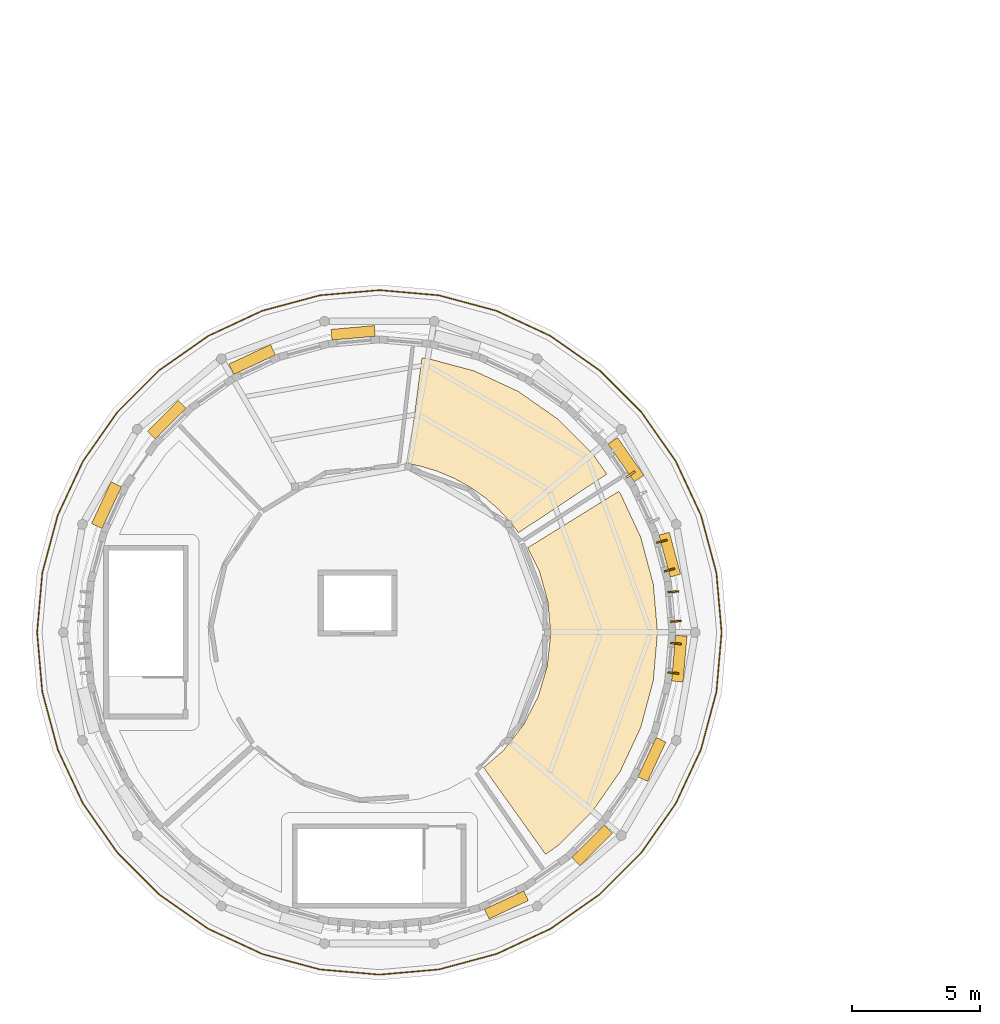
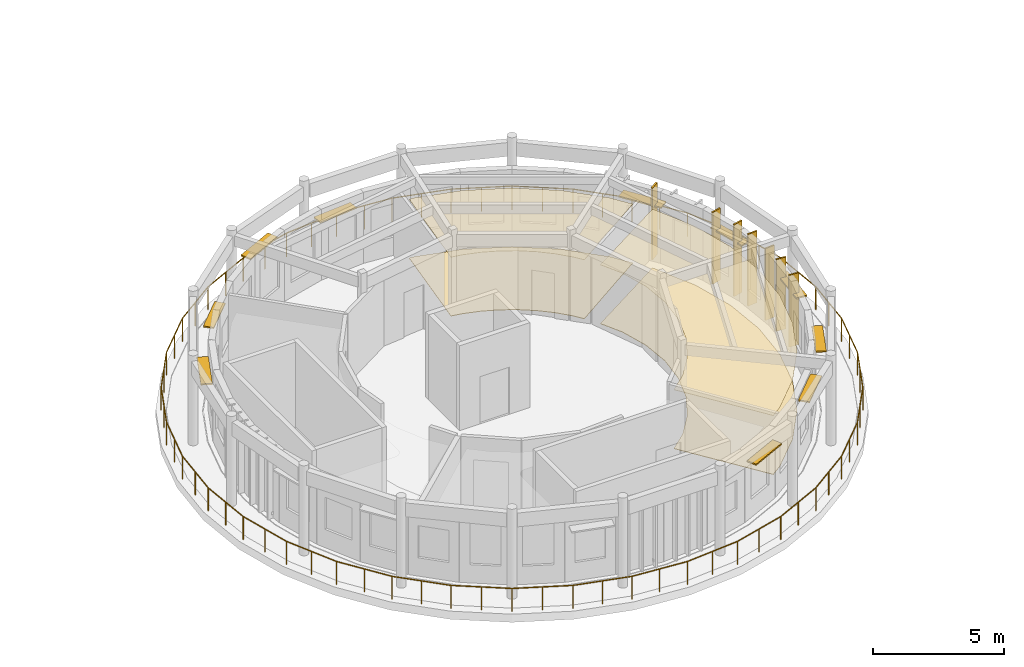
# One storey, part 26 of 30: 17 shading devices, 4 coverings, 1 railing.
"""IFC4 building model written with IfcOpenShell, lengths in metres."""

from ifc_helpers import new_model, si_unit, direction, frame, origin, origin_2d, place, context, subcontext, project, spatial, polyline, rectangle, circle, outline, extrude, material, layer, layer_set, type_object, element, save


model = new_model("IFC4")

# Units and contexts
model_context = context("Model", 3, precision=1e-05, world=origin(), true_north=direction((0.0, 1.0)))
body_context = subcontext(model_context, "Body", "Model", "MODEL_VIEW")
ifc_project = project(units=[si_unit("LENGTHUNIT", "METRE"), si_unit("AREAUNIT", "SQUARE_METRE"), si_unit("VOLUMEUNIT", "CUBIC_METRE"), si_unit("PLANEANGLEUNIT", "RADIAN"), si_unit("MASSUNIT", "GRAM", prefix="KILO")], contexts=[model_context])

# Site, building, storey
site_placement = place(None, origin())
site = spatial("IfcSite", under=ifc_project, at=site_placement, CompositionType="ELEMENT")
building_placement = place(site_placement, origin())
building = spatial("IfcBuilding", under=site, at=building_placement, Name="Aldenvaro Health Centre", CompositionType="ELEMENT")
storey_placement = place(building_placement, frame((0.0, 0.0, 17.14990234375)))
storey = spatial("IfcBuildingStorey", under=building, at=storey_placement, Name="L04", CompositionType="ELEMENT", Elevation=17.14990234375)

# Coverings
ifc_material_1 = material(Name="Antimicrobial Mineral Fibre Ceiling")
ifc_layer_1 = layer(ifc_material_1, 0.01806640625, Name="Antimicrobial Mineral Fibre Ceiling")
ifc_layer_set_1 = layer_set([ifc_layer_1], Name="Antimicrobial Mineral Fibre Ceiling")
covering_type_1 = type_object("IfcCoveringType", Name="COV-CLG-ACT18", PredefinedType="CEILING", material=ifc_layer_set_1)
covering_1_placement = place(storey_placement, frame((0.0, 0.0, 2.75)))
element("IfcCovering", 1, at=covering_1_placement, inside=storey, type_object=covering_type_1, Name="D5-L04-R03 Suspended Ceiling", PredefinedType="CEILING", context=body_context, shape_type="SweptSolid", body=[
    extrude(outline(polyline([(23.337890625, 13.85205078125), (23.35400390625, 13.867919921875), (23.368896484375, 13.885009765625), (24.1220703125, 14.839111328125), (24.135009765625, 14.85693359375), (24.14599609375, 14.8759765625), (24.70703125, 15.9541015625), (24.717041015625, 15.97509765625), (24.72412109375, 15.99609375), (25.073974609375, 17.158935546875), (25.0791015625, 17.180908203125), (25.0830078125, 17.2041015625), (25.2080078125, 18.412109375), (25.2099609375, 18.43505859375), (25.208984375, 18.45703125), (25.10693359375, 19.66796875), (25.10400390625, 19.68994140625), (25.09912109375, 19.7119140625), (24.77197265625, 20.882080078125), (24.764892578125, 20.904052734375), (24.756103515625, 20.924072265625), (24.31298828125, 21.81689453125), (27.884033203125, 24.028076171875), (27.93896484375, 23.948974609375), (28.740966796875, 22.22705078125), (29.23388671875, 20.39208984375), (29.39892578125, 18.5), (29.23388671875, 16.60791015625), (28.740966796875, 14.77294921875), (27.93896484375, 13.051025390625), (26.84912109375, 11.493896484375), (25.506103515625, 10.15087890625), (25.011962890625, 9.804931640625), (22.5859375, 13.198974609375), (23.337890625, 13.85205078125)])), origin(), (0.0, 0.0, 1.0), 0.01806640625),
])
covering_2_placement = place(storey_placement, frame((0.0, 0.0, 2.75)))
element("IfcCovering", 2, at=covering_2_placement, inside=storey, type_object=covering_type_1, Name="D5-L04-R04 Suspended Ceiling", PredefinedType="CEILING", context=body_context, shape_type="SweptSolid", body=[
    extrude(outline(polyline([(23.672119140625, 22.77392578125), (23.656005859375, 22.7939453125), (23.18798828125, 23.300048828125), (23.169921875, 23.318115234375), (22.65087890625, 23.77197265625), (22.631103515625, 23.787109375), (22.06591796875, 24.18310546875), (22.044921875, 24.197021484375), (21.44091796875, 24.531005859375), (21.41796875, 24.5419921875), (20.782958984375, 24.80908203125), (20.759033203125, 24.818115234375), (20.09912109375, 25.01611328125), (20.073974609375, 25.02197265625), (19.6201171875, 25.10791015625), (20.169921875, 29.2529296875), (20.39208984375, 29.23388671875), (22.22705078125, 28.740966796875), (23.948974609375, 27.93896484375), (25.506103515625, 26.84912109375), (26.84912109375, 25.506103515625), (27.412109375, 24.701904296875), (23.947998046875, 22.403076171875), (23.672119140625, 22.77392578125)])), origin(), (0.0, 0.0, 1.0), 0.01806640625),
])
ifc_material_2 = material(Name="Polished Epoxy Terrazzo Flooring")
ifc_layer_2 = layer(ifc_material_2, 0.02197265625, Name="Polished Epoxy Terrazzo Flooring")
ifc_layer_set_2 = layer_set([ifc_layer_2], Name="Polished Epoxy Terrazzo Flooring")
covering_type_2 = type_object("IfcCoveringType", Name="COV-FLR-TER22", PredefinedType="FLOORING", material=ifc_layer_set_2)
covering_3_placement = place(storey_placement, origin())
element("IfcCovering", 3, at=covering_3_placement, inside=storey, type_object=covering_type_2, Name="D5-L04-R03 Flooring", PredefinedType="FLOORING", context=body_context, shape_type="SweptSolid", body=[
    extrude(outline(polyline([(23.337890625, 13.85205078125), (23.35400390625, 13.867919921875), (23.368896484375, 13.885009765625), (24.1220703125, 14.839111328125), (24.135009765625, 14.85693359375), (24.14599609375, 14.8759765625), (24.70703125, 15.9541015625), (24.717041015625, 15.97509765625), (24.72412109375, 15.99609375), (25.073974609375, 17.158935546875), (25.0791015625, 17.180908203125), (25.0830078125, 17.2041015625), (25.2080078125, 18.412109375), (25.2099609375, 18.43505859375), (25.208984375, 18.45703125), (25.10693359375, 19.66796875), (25.10400390625, 19.68994140625), (25.09912109375, 19.7119140625), (24.77197265625, 20.882080078125), (24.764892578125, 20.904052734375), (24.756103515625, 20.924072265625), (24.31298828125, 21.81689453125), (27.884033203125, 24.028076171875), (27.93896484375, 23.948974609375), (28.740966796875, 22.22705078125), (29.23388671875, 20.39208984375), (29.39892578125, 18.5), (29.23388671875, 16.60791015625), (28.740966796875, 14.77294921875), (27.93896484375, 13.051025390625), (26.84912109375, 11.493896484375), (25.506103515625, 10.15087890625), (25.011962890625, 9.804931640625), (22.5859375, 13.198974609375), (23.337890625, 13.85205078125)])), origin(), (0.0, 0.0, 1.0), 0.022216796875),
])
covering_4_placement = place(storey_placement, origin())
element("IfcCovering", 4, at=covering_4_placement, inside=storey, type_object=covering_type_2, Name="D5-L04-R04 Flooring", PredefinedType="FLOORING", context=body_context, shape_type="SweptSolid", body=[
    extrude(outline(polyline([(23.672119140625, 22.77392578125), (23.656005859375, 22.7939453125), (23.18798828125, 23.300048828125), (23.169921875, 23.318115234375), (22.65087890625, 23.77197265625), (22.631103515625, 23.787109375), (22.06591796875, 24.18310546875), (22.044921875, 24.197021484375), (21.44091796875, 24.531005859375), (21.41796875, 24.5419921875), (20.782958984375, 24.80908203125), (20.759033203125, 24.818115234375), (20.09912109375, 25.01611328125), (20.073974609375, 25.02197265625), (19.6201171875, 25.10791015625), (20.169921875, 29.2529296875), (20.39208984375, 29.23388671875), (22.22705078125, 28.740966796875), (23.948974609375, 27.93896484375), (25.506103515625, 26.84912109375), (26.84912109375, 25.506103515625), (27.412109375, 24.701904296875), (23.947998046875, 22.403076171875), (23.672119140625, 22.77392578125)])), origin(), (0.0, 0.0, 1.0), 0.022216796875),
])

# Railing
ifc_material_3 = material(Name="Painted Architectural Steel", Category="steel")
railing_type = type_object("IfcRailingType", Name="RL-BAL-110", PredefinedType="GUARDRAIL", material=ifc_material_3)
railing_placement = place(storey_placement, frame((31.70703125, 16.172119140625, 0.0)))
element("IfcRailing", 5, at=railing_placement, inside=storey, type_object=railing_type, Name="D5 L04 recovery terrace guardrail 1", PredefinedType="GUARDRAIL", context=body_context, shape_type="SweptSolid", body=[
    extrude(circle(Radius=0.02392578125, at=origin_2d()), frame((0.0, 0.0, 1.09619140625), z_axis=(-0.259078691273, -0.965856216902, 0.0), x_axis=(0.965856216902, -0.259078691273, 0.0)), (0.0, 0.0, 1.0), 2.3388671875),
    extrude(circle(Radius=0.02392578125, at=origin_2d()), frame((-0.60595703125, -2.259033203125, 1.09619140625), z_axis=(-0.422387816223, -0.906415209882, 0.0), x_axis=(0.906415209882, -0.422387816223, 0.0)), (0.0, 0.0, 1.0), 2.3369140625),
    extrude(circle(Radius=0.02392578125, at=origin_2d()), frame((-1.593017578125, -4.377197265625, 1.09619140625), z_axis=(-0.573616521457, -0.819123974934, 0.0), x_axis=(0.819123974934, -0.573616521457, 0.0)), (0.0, 0.0, 1.0), 2.337890625),
    extrude(circle(Radius=0.02392578125, at=origin_2d()), frame((-2.93408203125, -6.292236328125, 1.09619140625), z_axis=(-0.707106781187, -0.707106781187, 0.0), x_axis=(0.707106781187, -0.707106781187, 0.0)), (0.0, 0.0, 1.0), 2.33740234375),
    extrude(circle(Radius=0.02392578125, at=origin_2d()), frame((-4.5869140625, -7.945068359375, 1.09619140625), z_axis=(-0.819123974934, -0.573616521457, 0.0), x_axis=(0.573616521457, -0.819123974934, 0.0)), (0.0, 0.0, 1.0), 2.337890625),
    extrude(circle(Radius=0.02392578125, at=origin_2d()), frame((-6.501953125, -9.2861328125, 1.09619140625), z_axis=(-0.906415209882, -0.422387816223, 0.0), x_axis=(0.422387816223, -0.906415209882, 0.0)), (0.0, 0.0, 1.0), 2.3369140625),
    extrude(circle(Radius=0.02392578125, at=origin_2d()), frame((-8.6201171875, -10.273193359375, 1.09619140625), z_axis=(-0.965856216902, -0.259078691273, 0.0), x_axis=(0.259078691273, -0.965856216902, 0.0)), (0.0, 0.0, 1.0), 2.3388671875),
    extrude(circle(Radius=0.02392578125, at=origin_2d()), frame((-10.879150390625, -10.879150390625, 1.09619140625), z_axis=(-0.996223711279, -0.086823482336, 0.0), x_axis=(0.086823482336, -0.996223711279, 0.0)), (0.0, 0.0, 1.0), 2.336669921875),
    extrude(circle(Radius=0.02392578125, at=origin_2d()), frame((-13.20703125, -11.08203125, 1.09619140625), z_axis=(-0.996223711279, 0.086823482336, 0.0), x_axis=(-0.086823482336, -0.996223711279, 0.0)), (0.0, 0.0, 1.0), 2.336669921875),
    extrude(circle(Radius=0.02392578125, at=origin_2d()), frame((-15.534912109375, -10.879150390625, 1.09619140625), z_axis=(-0.965856216902, 0.259078691273, 0.0), x_axis=(-0.259078691273, -0.965856216902, 0.0)), (0.0, 0.0, 1.0), 2.3388671875),
    extrude(circle(Radius=0.02392578125, at=origin_2d()), frame((-17.7939453125, -10.273193359375, 1.09619140625), z_axis=(-0.906415209882, 0.422387816223, 0.0), x_axis=(-0.422387816223, -0.906415209882, 0.0)), (0.0, 0.0, 1.0), 2.3369140625),
    extrude(circle(Radius=0.02392578125, at=origin_2d()), frame((-19.912109375, -9.2861328125, 1.09619140625), z_axis=(-0.819123974934, 0.573616521457, 0.0), x_axis=(-0.573616521457, -0.819123974934, 0.0)), (0.0, 0.0, 1.0), 2.337890625),
    extrude(circle(Radius=0.02392578125, at=origin_2d()), frame((-21.8271484375, -7.945068359375, 1.09619140625), z_axis=(-0.707106781187, 0.707106781187, 0.0), x_axis=(-0.707106781187, -0.707106781187, 0.0)), (0.0, 0.0, 1.0), 2.33740234375),
    extrude(circle(Radius=0.02392578125, at=origin_2d()), frame((-23.47998046875, -6.292236328125, 1.09619140625), z_axis=(-0.573616521457, 0.819123974934, 0.0), x_axis=(-0.819123974934, -0.573616521457, 0.0)), (0.0, 0.0, 1.0), 2.337890625),
    extrude(circle(Radius=0.02392578125, at=origin_2d()), frame((-24.821044921875, -4.377197265625, 1.09619140625), z_axis=(-0.422387816223, 0.906415209882, 0.0), x_axis=(-0.906415209882, -0.422387816223, 0.0)), (0.0, 0.0, 1.0), 2.3369140625),
    extrude(circle(Radius=0.02392578125, at=origin_2d()), frame((-25.80810546875, -2.259033203125, 1.09619140625), z_axis=(-0.259078691273, 0.965856216902, 0.0), x_axis=(-0.965856216902, -0.259078691273, 0.0)), (0.0, 0.0, 1.0), 2.3388671875),
    extrude(circle(Radius=0.02392578125, at=origin_2d()), frame((-26.4140625, 0.0, 1.09619140625), z_axis=(-0.086823482336, 0.996223711279, 0.0), x_axis=(-0.996223711279, -0.086823482336, 0.0)), (0.0, 0.0, 1.0), 2.336669921875),
    extrude(circle(Radius=0.02392578125, at=origin_2d()), frame((-26.616943359375, 2.327880859375, 1.09619140625), z_axis=(0.086823482336, 0.996223711279, 0.0), x_axis=(-0.996223711279, 0.086823482336, 0.0)), (0.0, 0.0, 1.0), 2.336669921875),
    extrude(circle(Radius=0.02392578125, at=origin_2d()), frame((-26.4140625, 4.65576171875, 1.09619140625), z_axis=(0.259078691273, 0.965856216902, 0.0), x_axis=(-0.965856216902, 0.259078691273, 0.0)), (0.0, 0.0, 1.0), 2.3388671875),
    extrude(circle(Radius=0.02392578125, at=origin_2d()), frame((-25.80810546875, 6.914794921875, 1.09619140625), z_axis=(0.422387816223, 0.906415209882, 0.0), x_axis=(-0.906415209882, 0.422387816223, 0.0)), (0.0, 0.0, 1.0), 2.3369140625),
    extrude(circle(Radius=0.02392578125, at=origin_2d()), frame((-24.821044921875, 9.032958984375, 1.09619140625), z_axis=(0.573616521457, 0.819123974934, 0.0), x_axis=(-0.819123974934, 0.573616521457, 0.0)), (0.0, 0.0, 1.0), 2.337890625),
    extrude(circle(Radius=0.02392578125, at=origin_2d()), frame((-23.47998046875, 10.947998046875, 1.09619140625), z_axis=(0.707106781187, 0.707106781187, 0.0), x_axis=(-0.707106781187, 0.707106781187, 0.0)), (0.0, 0.0, 1.0), 2.33740234375),
    extrude(circle(Radius=0.02392578125, at=origin_2d()), frame((-21.8271484375, 12.600830078125, 1.09619140625), z_axis=(0.819123974934, 0.573616521457, 0.0), x_axis=(-0.573616521457, 0.819123974934, 0.0)), (0.0, 0.0, 1.0), 2.337890625),
    extrude(circle(Radius=0.02392578125, at=origin_2d()), frame((-19.912109375, 13.94189453125, 1.09619140625), z_axis=(0.906415209882, 0.422387816223, 0.0), x_axis=(-0.422387816223, 0.906415209882, 0.0)), (0.0, 0.0, 1.0), 2.3369140625),
    extrude(circle(Radius=0.02392578125, at=origin_2d()), frame((-17.7939453125, 14.928955078125, 1.09619140625), z_axis=(0.965856216902, 0.259078691273, 0.0), x_axis=(-0.259078691273, 0.965856216902, 0.0)), (0.0, 0.0, 1.0), 2.3388671875),
    extrude(circle(Radius=0.02392578125, at=origin_2d()), frame((-15.534912109375, 15.534912109375, 1.09619140625), z_axis=(0.996223711279, 0.086823482336, 0.0), x_axis=(-0.086823482336, 0.996223711279, 0.0)), (0.0, 0.0, 1.0), 2.336669921875),
    extrude(circle(Radius=0.02392578125, at=origin_2d()), frame((-13.20703125, 15.73779296875, 1.09619140625), z_axis=(0.996223711279, -0.086823482336, 0.0), x_axis=(0.086823482336, 0.996223711279, 0.0)), (0.0, 0.0, 1.0), 2.336669921875),
    extrude(circle(Radius=0.02392578125, at=origin_2d()), frame((-10.879150390625, 15.534912109375, 1.09619140625), z_axis=(0.965856216902, -0.259078691273, 0.0), x_axis=(0.259078691273, 0.965856216902, 0.0)), (0.0, 0.0, 1.0), 2.3388671875),
    extrude(circle(Radius=0.02392578125, at=origin_2d()), frame((-8.6201171875, 14.928955078125, 1.09619140625), z_axis=(0.906415209882, -0.422387816223, 0.0), x_axis=(0.422387816223, 0.906415209882, 0.0)), (0.0, 0.0, 1.0), 2.3369140625),
    extrude(circle(Radius=0.02392578125, at=origin_2d()), frame((-6.501953125, 13.94189453125, 1.09619140625), z_axis=(0.819123974934, -0.573616521457, 0.0), x_axis=(0.573616521457, 0.819123974934, 0.0)), (0.0, 0.0, 1.0), 2.337890625),
    extrude(circle(Radius=0.02392578125, at=origin_2d()), frame((-4.5869140625, 12.600830078125, 1.09619140625), z_axis=(0.707106781187, -0.707106781187, 0.0), x_axis=(0.707106781187, 0.707106781187, 0.0)), (0.0, 0.0, 1.0), 2.33740234375),
    extrude(circle(Radius=0.02392578125, at=origin_2d()), frame((-2.93408203125, 10.947998046875, 1.09619140625), z_axis=(0.573616521457, -0.819123974934, 0.0), x_axis=(0.819123974934, 0.573616521457, 0.0)), (0.0, 0.0, 1.0), 2.337890625),
    extrude(circle(Radius=0.02392578125, at=origin_2d()), frame((-1.593017578125, 9.032958984375, 1.09619140625), z_axis=(0.422387816223, -0.906415209882, 0.0), x_axis=(0.906415209882, 0.422387816223, 0.0)), (0.0, 0.0, 1.0), 2.3369140625),
    extrude(circle(Radius=0.02392578125, at=origin_2d()), frame((-0.60595703125, 6.914794921875, 1.09619140625), z_axis=(0.259078691273, -0.965856216902, 0.0), x_axis=(0.965856216902, 0.259078691273, 0.0)), (0.0, 0.0, 1.0), 2.3388671875),
    extrude(circle(Radius=0.02392578125, at=origin_2d()), frame((0.0, 4.65576171875, 1.09619140625), z_axis=(0.086823482336, -0.996223711279, 0.0), x_axis=(0.996223711279, 0.086823482336, 0.0)), (0.0, 0.0, 1.0), 2.336669921875),
    extrude(circle(Radius=0.02392578125, at=origin_2d()), frame((0.202880859375, 2.327880859375, 1.09619140625), z_axis=(-0.086823482336, -0.996223711279, 0.0), x_axis=(0.996223711279, -0.086823482336, 0.0)), (0.0, 0.0, 1.0), 2.336669921875),
    extrude(circle(Radius=0.02099609375, at=origin_2d()), origin(), (0.0, 0.0, 1.0), 1.072021484375),
    extrude(circle(Radius=0.02099609375, at=origin_2d()), frame((-0.302978515625, -1.12939453125, 0.0)), (0.0, 0.0, 1.0), 1.072021484375),
    extrude(circle(Radius=0.02099609375, at=origin_2d()), frame((-0.60595703125, -2.259033203125, 0.0)), (0.0, 0.0, 1.0), 1.072021484375),
    extrude(circle(Radius=0.02099609375, at=origin_2d()), frame((-1.099609375, -3.318115234375, 0.0)), (0.0, 0.0, 1.0), 1.072021484375),
    extrude(circle(Radius=0.02099609375, at=origin_2d()), frame((-1.593017578125, -4.377197265625, 0.0)), (0.0, 0.0, 1.0), 1.072021484375),
    extrude(circle(Radius=0.02099609375, at=origin_2d()), frame((-2.263671875, -5.334716796875, 0.0)), (0.0, 0.0, 1.0), 1.072021484375),
    extrude(circle(Radius=0.02099609375, at=origin_2d()), frame((-2.93408203125, -6.292236328125, 0.0)), (0.0, 0.0, 1.0), 1.072021484375),
    extrude(circle(Radius=0.02099609375, at=origin_2d()), frame((-3.760498046875, -7.11865234375, 0.0)), (0.0, 0.0, 1.0), 1.072021484375),
    extrude(circle(Radius=0.02099609375, at=origin_2d()), frame((-4.5869140625, -7.945068359375, 0.0)), (0.0, 0.0, 1.0), 1.072021484375),
    extrude(circle(Radius=0.02099609375, at=origin_2d()), frame((-5.54443359375, -8.61572265625, 0.0)), (0.0, 0.0, 1.0), 1.072021484375),
    extrude(circle(Radius=0.02099609375, at=origin_2d()), frame((-6.501953125, -9.2861328125, 0.0)), (0.0, 0.0, 1.0), 1.072021484375),
    extrude(circle(Radius=0.02099609375, at=origin_2d()), frame((-7.56103515625, -9.77978515625, 0.0)), (0.0, 0.0, 1.0), 1.072021484375),
    extrude(circle(Radius=0.02099609375, at=origin_2d()), frame((-8.6201171875, -10.273193359375, 0.0)), (0.0, 0.0, 1.0), 1.072021484375),
    extrude(circle(Radius=0.02099609375, at=origin_2d()), frame((-9.74951171875, -10.576171875, 0.0)), (0.0, 0.0, 1.0), 1.072021484375),
    extrude(circle(Radius=0.02099609375, at=origin_2d()), frame((-10.879150390625, -10.879150390625, 0.0)), (0.0, 0.0, 1.0), 1.072021484375),
    extrude(circle(Radius=0.02099609375, at=origin_2d()), frame((-12.04296875, -10.98046875, 0.0)), (0.0, 0.0, 1.0), 1.072021484375),
    extrude(circle(Radius=0.02099609375, at=origin_2d()), frame((-13.20703125, -11.08203125, 0.0)), (0.0, 0.0, 1.0), 1.072021484375),
    extrude(circle(Radius=0.02099609375, at=origin_2d()), frame((-14.37109375, -10.98046875, 0.0)), (0.0, 0.0, 1.0), 1.072021484375),
    extrude(circle(Radius=0.02099609375, at=origin_2d()), frame((-15.534912109375, -10.879150390625, 0.0)), (0.0, 0.0, 1.0), 1.072021484375),
    extrude(circle(Radius=0.02099609375, at=origin_2d()), frame((-16.66455078125, -10.576171875, 0.0)), (0.0, 0.0, 1.0), 1.072021484375),
    extrude(circle(Radius=0.02099609375, at=origin_2d()), frame((-17.7939453125, -10.273193359375, 0.0)), (0.0, 0.0, 1.0), 1.072021484375),
    extrude(circle(Radius=0.02099609375, at=origin_2d()), frame((-18.85302734375, -9.77978515625, 0.0)), (0.0, 0.0, 1.0), 1.072021484375),
    extrude(circle(Radius=0.02099609375, at=origin_2d()), frame((-19.912109375, -9.2861328125, 0.0)), (0.0, 0.0, 1.0), 1.072021484375),
    extrude(circle(Radius=0.02099609375, at=origin_2d()), frame((-20.86962890625, -8.61572265625, 0.0)), (0.0, 0.0, 1.0), 1.072021484375),
    extrude(circle(Radius=0.02099609375, at=origin_2d()), frame((-21.8271484375, -7.945068359375, 0.0)), (0.0, 0.0, 1.0), 1.072021484375),
    extrude(circle(Radius=0.02099609375, at=origin_2d()), frame((-22.653564453125, -7.11865234375, 0.0)), (0.0, 0.0, 1.0), 1.072021484375),
    extrude(circle(Radius=0.02099609375, at=origin_2d()), frame((-23.47998046875, -6.292236328125, 0.0)), (0.0, 0.0, 1.0), 1.072021484375),
    extrude(circle(Radius=0.02099609375, at=origin_2d()), frame((-24.150390625, -5.334716796875, 0.0)), (0.0, 0.0, 1.0), 1.072021484375),
    extrude(circle(Radius=0.02099609375, at=origin_2d()), frame((-24.821044921875, -4.377197265625, 0.0)), (0.0, 0.0, 1.0), 1.072021484375),
    extrude(circle(Radius=0.02099609375, at=origin_2d()), frame((-25.314453125, -3.318115234375, 0.0)), (0.0, 0.0, 1.0), 1.072021484375),
    extrude(circle(Radius=0.02099609375, at=origin_2d()), frame((-25.80810546875, -2.259033203125, 0.0)), (0.0, 0.0, 1.0), 1.072021484375),
    extrude(circle(Radius=0.02099609375, at=origin_2d()), frame((-26.111083984375, -1.12939453125, 0.0)), (0.0, 0.0, 1.0), 1.072021484375),
    extrude(circle(Radius=0.02099609375, at=origin_2d()), frame((-26.4140625, 0.0, 0.0)), (0.0, 0.0, 1.0), 1.072021484375),
    extrude(circle(Radius=0.02099609375, at=origin_2d()), frame((-26.515625, 1.1640625, 0.0)), (0.0, 0.0, 1.0), 1.072021484375),
    extrude(circle(Radius=0.02099609375, at=origin_2d()), frame((-26.616943359375, 2.327880859375, 0.0)), (0.0, 0.0, 1.0), 1.072021484375),
    extrude(circle(Radius=0.02099609375, at=origin_2d()), frame((-26.515625, 3.49169921875, 0.0)), (0.0, 0.0, 1.0), 1.072021484375),
    extrude(circle(Radius=0.02099609375, at=origin_2d()), frame((-26.4140625, 4.65576171875, 0.0)), (0.0, 0.0, 1.0), 1.072021484375),
    extrude(circle(Radius=0.02099609375, at=origin_2d()), frame((-26.111083984375, 5.78515625, 0.0)), (0.0, 0.0, 1.0), 1.072021484375),
    extrude(circle(Radius=0.02099609375, at=origin_2d()), frame((-25.80810546875, 6.914794921875, 0.0)), (0.0, 0.0, 1.0), 1.072021484375),
    extrude(circle(Radius=0.02099609375, at=origin_2d()), frame((-25.314453125, 7.973876953125, 0.0)), (0.0, 0.0, 1.0), 1.072021484375),
    extrude(circle(Radius=0.02099609375, at=origin_2d()), frame((-24.821044921875, 9.032958984375, 0.0)), (0.0, 0.0, 1.0), 1.072021484375),
    extrude(circle(Radius=0.02099609375, at=origin_2d()), frame((-24.150390625, 9.990478515625, 0.0)), (0.0, 0.0, 1.0), 1.072021484375),
    extrude(circle(Radius=0.02099609375, at=origin_2d()), frame((-23.47998046875, 10.947998046875, 0.0)), (0.0, 0.0, 1.0), 1.072021484375),
    extrude(circle(Radius=0.02099609375, at=origin_2d()), frame((-22.653564453125, 11.7744140625, 0.0)), (0.0, 0.0, 1.0), 1.072021484375),
    extrude(circle(Radius=0.02099609375, at=origin_2d()), frame((-21.8271484375, 12.600830078125, 0.0)), (0.0, 0.0, 1.0), 1.072021484375),
    extrude(circle(Radius=0.02099609375, at=origin_2d()), frame((-20.86962890625, 13.271484375, 0.0)), (0.0, 0.0, 1.0), 1.072021484375),
    extrude(circle(Radius=0.02099609375, at=origin_2d()), frame((-19.912109375, 13.94189453125, 0.0)), (0.0, 0.0, 1.0), 1.072021484375),
    extrude(circle(Radius=0.02099609375, at=origin_2d()), frame((-18.85302734375, 14.435546875, 0.0)), (0.0, 0.0, 1.0), 1.072021484375),
    extrude(circle(Radius=0.02099609375, at=origin_2d()), frame((-17.7939453125, 14.928955078125, 0.0)), (0.0, 0.0, 1.0), 1.072021484375),
    extrude(circle(Radius=0.02099609375, at=origin_2d()), frame((-16.66455078125, 15.23193359375, 0.0)), (0.0, 0.0, 1.0), 1.072021484375),
    extrude(circle(Radius=0.02099609375, at=origin_2d()), frame((-15.534912109375, 15.534912109375, 0.0)), (0.0, 0.0, 1.0), 1.072021484375),
    extrude(circle(Radius=0.02099609375, at=origin_2d()), frame((-14.37109375, 15.63623046875, 0.0)), (0.0, 0.0, 1.0), 1.072021484375),
    extrude(circle(Radius=0.02099609375, at=origin_2d()), frame((-13.20703125, 15.73779296875, 0.0)), (0.0, 0.0, 1.0), 1.072021484375),
    extrude(circle(Radius=0.02099609375, at=origin_2d()), frame((-12.04296875, 15.63623046875, 0.0)), (0.0, 0.0, 1.0), 1.072021484375),
    extrude(circle(Radius=0.02099609375, at=origin_2d()), frame((-10.879150390625, 15.534912109375, 0.0)), (0.0, 0.0, 1.0), 1.072021484375),
    extrude(circle(Radius=0.02099609375, at=origin_2d()), frame((-9.74951171875, 15.23193359375, 0.0)), (0.0, 0.0, 1.0), 1.072021484375),
    extrude(circle(Radius=0.02099609375, at=origin_2d()), frame((-8.6201171875, 14.928955078125, 0.0)), (0.0, 0.0, 1.0), 1.072021484375),
    extrude(circle(Radius=0.02099609375, at=origin_2d()), frame((-7.56103515625, 14.435546875, 0.0)), (0.0, 0.0, 1.0), 1.072021484375),
    extrude(circle(Radius=0.02099609375, at=origin_2d()), frame((-6.501953125, 13.94189453125, 0.0)), (0.0, 0.0, 1.0), 1.072021484375),
    extrude(circle(Radius=0.02099609375, at=origin_2d()), frame((-5.54443359375, 13.271484375, 0.0)), (0.0, 0.0, 1.0), 1.072021484375),
    extrude(circle(Radius=0.02099609375, at=origin_2d()), frame((-4.5869140625, 12.600830078125, 0.0)), (0.0, 0.0, 1.0), 1.072021484375),
    extrude(circle(Radius=0.02099609375, at=origin_2d()), frame((-3.760498046875, 11.7744140625, 0.0)), (0.0, 0.0, 1.0), 1.072021484375),
    extrude(circle(Radius=0.02099609375, at=origin_2d()), frame((-2.93408203125, 10.947998046875, 0.0)), (0.0, 0.0, 1.0), 1.072021484375),
    extrude(circle(Radius=0.02099609375, at=origin_2d()), frame((-2.263671875, 9.990478515625, 0.0)), (0.0, 0.0, 1.0), 1.072021484375),
    extrude(circle(Radius=0.02099609375, at=origin_2d()), frame((-1.593017578125, 9.032958984375, 0.0)), (0.0, 0.0, 1.0), 1.072021484375),
    extrude(circle(Radius=0.02099609375, at=origin_2d()), frame((-1.099609375, 7.973876953125, 0.0)), (0.0, 0.0, 1.0), 1.072021484375),
    extrude(circle(Radius=0.02099609375, at=origin_2d()), frame((-0.60595703125, 6.914794921875, 0.0)), (0.0, 0.0, 1.0), 1.072021484375),
    extrude(circle(Radius=0.02099609375, at=origin_2d()), frame((-0.302978515625, 5.78515625, 0.0)), (0.0, 0.0, 1.0), 1.072021484375),
    extrude(circle(Radius=0.02099609375, at=origin_2d()), frame((0.0, 4.65576171875, 0.0)), (0.0, 0.0, 1.0), 1.072021484375),
    extrude(circle(Radius=0.02099609375, at=origin_2d()), frame((0.1015625, 3.49169921875, 0.0)), (0.0, 0.0, 1.0), 1.072021484375),
    extrude(circle(Radius=0.02099609375, at=origin_2d()), frame((0.202880859375, 2.327880859375, 0.0)), (0.0, 0.0, 1.0), 1.072021484375),
    extrude(circle(Radius=0.02099609375, at=origin_2d()), frame((0.1015625, 1.1640625, 0.0)), (0.0, 0.0, 1.0), 1.072021484375),
])

# Shading devices
ifc_material_4 = material(Name="Douglas Fir Exterior Glulam GL28h", Category="wood")
shading_device_type_1 = type_object("IfcShadingDeviceType", Name="SHD-FIN-380", PredefinedType="USERDEFINED", material=ifc_material_4)
shading_device_1_placement = place(storey_placement, frame((28.343994140625, 24.68408203125, -0.02001953125), z_axis=(0.0, 0.0, 1.0), x_axis=(0.57369709618, -0.819067544122, 0.0)))
element("IfcShadingDevice", 6, at=shading_device_1_placement, inside=storey, type_object=shading_device_type_1, Name="D5 L04 Douglas fir fin 32.3", ObjectType="FIN", PredefinedType="USERDEFINED", context=body_context, shape_type="SweptSolid", body=[
    extrude(rectangle(XDim=0.074951171875, YDim=0.419921875, at=origin_2d()), origin(), (0.0, 0.0, 1.0), 3.35400390625),
])
shading_device_type_2 = type_object("IfcShadingDeviceType", Name="SHD-FIN-420", PredefinedType="USERDEFINED", material=ifc_material_4)
for number, where, z_axis, x_axis, name in (
    (7, (30.117919921875, 18.06591796875, -0.02001953125), (0.0, 0.0, 1.0), (-0.08697472665, -0.996210518377, 0.0), "D5 L04 Douglas fir fin 36.1"),
    (8, (30.01708984375, 16.909912109375, -0.02001953125), (0.0, 0.0, 1.0), (-0.08697472665, -0.996210518377, 0.0), "D5 L04 Douglas fir fin 36.3"),
):
    element("IfcShadingDevice", number, at=place(storey_placement, frame(where, z_axis=z_axis, x_axis=x_axis)), inside=storey, type_object=shading_device_type_2, Name=name, ObjectType="FIN", PredefinedType="USERDEFINED", context=body_context, shape_type="SweptSolid", body=[
        extrude(rectangle(XDim=0.06494140625, YDim=0.419921875, at=origin_2d()), origin(), (0.0, 0.0, 1.0), 3.35400390625),
    ])
shading_device_type_3 = type_object("IfcShadingDeviceType", Name="SHD-FIN-435", PredefinedType="USERDEFINED", material=ifc_material_4)
for number, where, z_axis, x_axis, name in (
    (9, (30.01708984375, 20.090087890625, -0.02001953125), (0.0, 0.0, 1.0), (0.08697472665, -0.996210518377, 0.0), "D5 L04 Douglas fir fin 35.1"),
    (10, (30.117919921875, 18.93408203125, -0.02001953125), (0.0, 0.0, 1.0), (0.08697472665, -0.996210518377, 0.0), "D5 L04 Douglas fir fin 35.3"),
):
    element("IfcShadingDevice", number, at=place(storey_placement, frame(where, z_axis=z_axis, x_axis=x_axis)), inside=storey, type_object=shading_device_type_3, Name=name, ObjectType="FIN", PredefinedType="USERDEFINED", context=body_context, shape_type="SweptSolid", body=[
        extrude(rectangle(XDim=0.06494140625, YDim=0.419921875, at=origin_2d()), origin(), (0.0, 0.0, 1.0), 3.35400390625),
    ])
shading_device_type_4 = type_object("IfcShadingDeviceType", Name="SHD-FIN-455", PredefinedType="USERDEFINED", material=ifc_material_4)
for number, where, z_axis, x_axis, name in (
    (11, (29.56591796875, 22.06591796875, -0.02001953125), (0.0, 0.0, 1.0), (0.258844319608, -0.965919053651, 0.0), "D5 L04 Douglas fir fin 34.1"),
    (12, (29.865966796875, 20.944091796875, -0.02001953125), (0.0, 0.0, 1.0), (0.258844319608, -0.965919053651, 0.0), "D5 L04 Douglas fir fin 34.3"),
):
    element("IfcShadingDevice", number, at=place(storey_placement, frame(where, z_axis=z_axis, x_axis=x_axis)), inside=storey, type_object=shading_device_type_4, Name=name, ObjectType="FIN", PredefinedType="USERDEFINED", context=body_context, shape_type="SweptSolid", body=[
        extrude(rectangle(XDim=0.06494140625, YDim=0.419921875, at=origin_2d()), origin(), (0.0, 0.0, 1.0), 3.35400390625),
    ])
shading_device_type_5 = type_object("IfcShadingDeviceType", Name="SHD-LVR-170", PredefinedType="JALOUSIE", material=ifc_material_4)
for number, where, z_axis, x_axis, name in (
    (13, (29.177978515625, 13.52099609375, 2.60009765625), (0.0, 0.0, 1.0), (-0.422666647477, -0.906285222825, 0.0), "D5 L04 horizontal solar louvre 02"),
    (14, (23.47900390625, 7.822021484375, 2.75), (0.0, 0.0, 1.0), (-0.906285222825, -0.422666647477, 0.0), "D5 L04 horizontal solar louvre 06"),
    (15, (10.169921875, 26.8310546875, 2.300048828125), (0.0, 0.0, 1.0), (0.707106781187, 0.707106781187, 0.0), "D5 L04 horizontal solar louvre 22"),
    (16, (17.472900390625, 30.237060546875, 2.449951171875), (0.0, 0.0, 1.0), (0.996210518377, 0.08697472665, 0.0), "D5 L04 horizontal solar louvre 26"),
    (17, (29.8798828125, 21.548095703125, 2.35009765625), (0.0, 0.0, 1.0), (0.258844319608, -0.965919053651, 0.0), "D5 L04 horizontal solar louvre 34"),
):
    element("IfcShadingDevice", number, at=place(storey_placement, frame(where, z_axis=z_axis, x_axis=x_axis)), inside=storey, type_object=shading_device_type_5, Name=name, PredefinedType="JALOUSIE", context=body_context, shape_type="SweptSolid", body=[
        extrude(rectangle(XDim=1.699951171875, YDim=0.419921875, at=origin_2d()), origin(), (0.0, 0.0, 1.0), 0.06005859375),
    ])
shading_device_type_6 = type_object("IfcShadingDeviceType", Name="SHD-LVR-210", PredefinedType="JALOUSIE", material=ifc_material_4)
shading_device_2_placement = place(storey_placement, frame((26.841064453125, 10.158935546875, 3.147705078125), z_axis=(0.0, 0.0, 1.0), x_axis=(-0.707106781187, -0.707106781187, 0.0)))
element("IfcShadingDevice", 18, at=shading_device_2_placement, inside=storey, type_object=shading_device_type_6, Name="D5 L04 horizontal solar louvre 04", PredefinedType="JALOUSIE", context=body_context, shape_type="SweptSolid", body=[
    extrude(rectangle(XDim=1.801025390625, YDim=0.449951171875, at=origin_2d()), origin(), (0.0, 0.0, 1.0), 0.06494140625),
])
for number, where, z_axis, x_axis, name in (
    (19, (7.80908203125, 23.485107421875, 2.547607421875), (0.0, 0.0, 1.0), (0.422666647477, 0.906285222825, 0.0), "D5 L04 horizontal solar louvre 20"),
    (20, (13.514892578125, 29.19091796875, 2.897705078125), (0.0, 0.0, 1.0), (0.906285222825, 0.422666647477, 0.0), "D5 L04 horizontal solar louvre 24"),
):
    element("IfcShadingDevice", number, at=place(storey_placement, frame(where, z_axis=z_axis, x_axis=x_axis)), inside=storey, type_object=shading_device_type_6, Name=name, PredefinedType="JALOUSIE", context=body_context, shape_type="SweptSolid", body=[
        extrude(rectangle(XDim=1.801513671875, YDim=0.449951171875, at=origin_2d()), origin(), (0.0, 0.0, 1.0), 0.06494140625),
    ])
shading_device_3_placement = place(storey_placement, frame((28.1630859375, 25.26611328125, 2.34765625), z_axis=(0.0, 0.0, 1.0), x_axis=(0.57369709618, -0.819067544122, 0.0)))
element("IfcShadingDevice", 21, at=shading_device_3_placement, inside=storey, type_object=shading_device_type_6, Name="D5 L04 horizontal solar louvre 32", PredefinedType="JALOUSIE", context=body_context, shape_type="SweptSolid", body=[
    extrude(rectangle(XDim=1.801025390625, YDim=0.449951171875, at=origin_2d()), origin(), (0.0, 0.0, 1.0), 0.06494140625),
])
shading_device_4_placement = place(storey_placement, frame((30.251953125, 17.471923828125, 2.34765625), z_axis=(0.0, 0.0, 1.0), x_axis=(-0.08697472665, -0.996210518377, 0.0)))
element("IfcShadingDevice", 22, at=shading_device_4_placement, inside=storey, type_object=shading_device_type_6, Name="D5 L04 horizontal solar louvre 36", PredefinedType="JALOUSIE", context=body_context, shape_type="SweptSolid", body=[
    extrude(rectangle(XDim=1.800537109375, YDim=0.449951171875, at=origin_2d()), origin(), (0.0, 0.0, 1.0), 0.06494140625),
])

save(model, "model.ifc")
